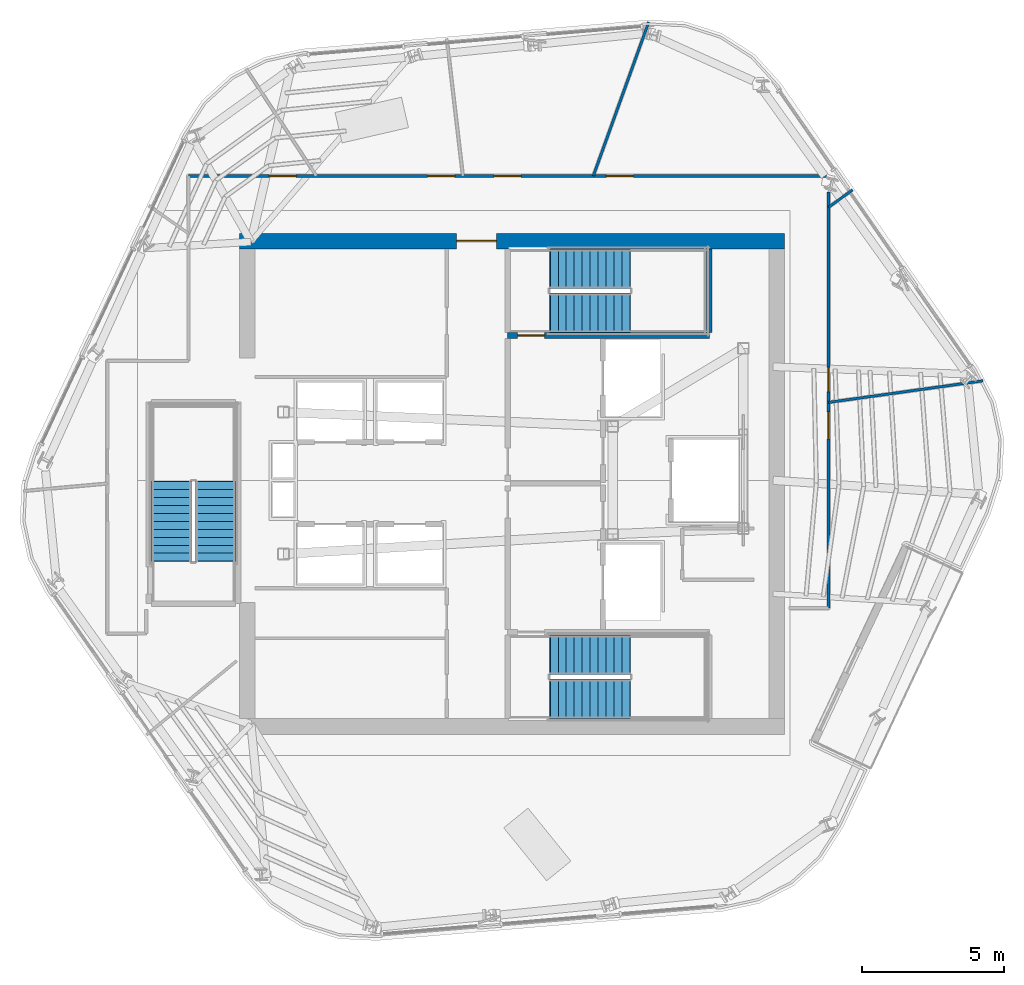
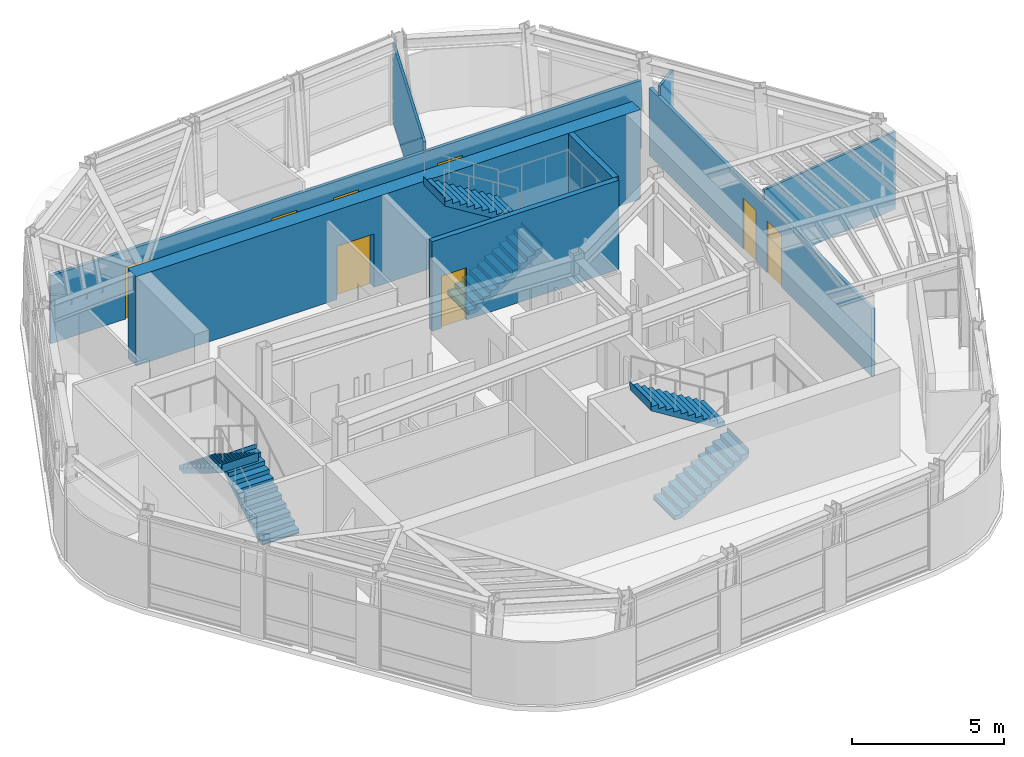
# One storey, part 7 of 14: 8 doors, 8 walls, 6 stair flights, 8 openings, 3 elements without a shape of their own.
"""IFC4 building model written with IfcOpenShell, lengths in metres."""

from ifc_helpers import new_model, si_unit, direction, frame, frame_2d, origin, place, context, subcontext, project, spatial, polyline, rectangle, outline, extrude, material, layer, layer_set, type_object, element, fill, aggregate, save


model = new_model("IFC4")

# Units and contexts
model_context = context("Model", 3, precision=1e-05, world=origin(), true_north=direction((0.0, 1.0)))
body_context = subcontext(model_context, "Body", "Model", "MODEL_VIEW")
ifc_project = project(units=[si_unit("LENGTHUNIT", "METRE"), si_unit("AREAUNIT", "SQUARE_METRE"), si_unit("VOLUMEUNIT", "CUBIC_METRE"), si_unit("PLANEANGLEUNIT", "RADIAN"), si_unit("MASSUNIT", "GRAM", prefix="KILO")], contexts=[model_context])

# Site, building, storey
site_placement = place(None, origin())
site = spatial("IfcSite", under=ifc_project, at=site_placement, CompositionType="ELEMENT")
building_placement = place(site_placement, origin())
building = spatial("IfcBuilding", under=site, at=building_placement, Name="Valkerne Bourse Tower", CompositionType="ELEMENT")
storey_placement = place(building_placement, frame((0.0, 0.0, 304.0)))
storey = spatial("IfcBuildingStorey", under=building, at=storey_placement, Name="L77", CompositionType="ELEMENT", Elevation=304.0)

# Wall, opening, door
ifc_material_1 = material(Name="Concrete C55/67", Category="concrete")
ifc_layer_1 = layer(ifc_material_1, 0.550048828125)
ifc_layer_set_1 = layer_set([ifc_layer_1], Name="Concrete C55/67")
wall_type_1 = type_object("IfcWallType", Name="W-CORE-550", PredefinedType="SHEAR", material=ifc_layer_set_1)
wall_1_placement = place(storey_placement, frame((37.199951171875, 35.425048828125, 0.0), z_axis=(0.0, 0.0, 1.0), x_axis=(1.0, 0.0, 0.0)))
wall_1 = element("IfcWall", 1, at=wall_1_placement, inside=storey, type_object=wall_type_1, Name="L77 Core Shear Wall NORTH", PredefinedType="SHEAR", context=body_context, shape_type="SweptSolid", body=[
    extrude(rectangle(XDim=19.199951171875, YDim=0.550048828125, at=frame_2d((9.60009765625, 0.0))), origin(), (0.0, 0.0, 1.0), 3.60009765625),
])
opening_1_placement = place(wall_1_placement, frame((7.64990234375, 0.0, 0.0)))
opening_1 = element("IfcOpeningElement", 2, at=opening_1_placement, cuts=wall_1, Name="Opening D-PL-1400", PredefinedType="OPENING", context=body_context, shape_type="SweptSolid", body=[
    extrude(rectangle(XDim=1.39990234375, YDim=2.14990234375, at=frame_2d((0.699951171875, 1.074951171875))), frame((0.0, 0.284912109375, 0.0), z_axis=(0.0, -1.0, 0.0), x_axis=(1.0, 0.0, 0.0)), (0.0, 0.0, 1.0), 0.570068359375),
])
ifc_material_2 = material(Name="Galvanised Painted Steel", Category="steel")
door_type_1 = type_object("IfcDoorType", Name="DR-PLT-1400", OperationType="DOUBLE_DOOR_SINGLE_SWING", PredefinedType="DOOR", material=ifc_material_2)
door_1_placement = place(opening_1_placement, origin())
door_1 = element("IfcDoor", 3, at=door_1_placement, inside=storey, type_object=door_type_1, Name="L77 North Passenger Lift Hall Fire Door", OperationType="DOUBLE_DOOR_SINGLE_SWING", OverallHeight=2.14990234375, OverallWidth=1.39990234375, PredefinedType="DOOR", context=body_context, shape_type="SweptSolid", body=[
    extrude(rectangle(XDim=1.39990234375, YDim=2.14990234375, at=frame_2d((0.699951171875, 1.074951171875))), frame((0.0, 0.02490234375, 0.0), z_axis=(0.0, -1.0, 0.0), x_axis=(1.0, 0.0, 0.0)), (0.0, 0.0, 1.0), 0.050048828125),
])
fill(opening_1, door_1)

# Wall, openings, doors
ifc_material_3 = material(Name="Gypsum Board Steel-Stud Partition", Category="steel")
ifc_layer_2 = layer(ifc_material_3, 0.117919921875)
ifc_layer_set_2 = layer_set([ifc_layer_2], Name="Gypsum Board Steel-Stud Partition")
wall_type_2 = type_object("IfcWallType", Name="W-CORR-140", PredefinedType="PARTITIONING", material=ifc_layer_set_2)
wall_2_placement = place(storey_placement, frame((35.39990234375, 37.719970703125, 0.0), z_axis=(0.0, 0.0, 1.0), x_axis=(1.0, 0.0, 0.0)))
wall_2 = element("IfcWall", 4, at=wall_2_placement, inside=storey, type_object=wall_type_2, Name="L77 Corridor Enclosure Wall", PredefinedType="PARTITIONING", context=body_context, shape_type="SweptSolid", body=[
    extrude(rectangle(XDim=22.48583984375, YDim=0.117919921875, at=frame_2d((11.242919921875, 0.0))), origin(), (0.0, 0.0, 1.0), 2.7314453125),
])
opening_2_placement = place(wall_2_placement, frame((8.427978515625, 0.0, 0.0)))
opening_2 = element("IfcOpeningElement", 5, at=opening_2_placement, cuts=wall_2, Name="Opening D-OF-950", PredefinedType="OPENING", context=body_context, shape_type="SweptSolid", body=[
    extrude(rectangle(XDim=0.949951171875, YDim=2.10009765625, at=frame_2d((0.47509765625, 1.050048828125))), frame((0.0, 0.06884765625, 0.0), z_axis=(0.0, -1.0, 0.0), x_axis=(1.0, 0.0, 0.0)), (0.0, 0.0, 1.0), 0.137939453125),
])
opening_3_placement = place(wall_2_placement, frame((10.767822265625, 0.0, 0.0)))
opening_3 = element("IfcOpeningElement", 6, at=opening_3_placement, cuts=wall_2, Name="Opening D-OF-950", PredefinedType="OPENING", context=body_context, shape_type="SweptSolid", body=[
    extrude(rectangle(XDim=0.949951171875, YDim=2.10009765625, at=frame_2d((0.47509765625, 1.050048828125))), frame((0.0, 0.06884765625, 0.0), z_axis=(0.0, -1.0, 0.0), x_axis=(1.0, 0.0, 0.0)), (0.0, 0.0, 1.0), 0.137939453125),
])
opening_4_placement = place(wall_2_placement, frame((14.727783203125, 0.0, 0.0)))
opening_4 = element("IfcOpeningElement", 7, at=opening_4_placement, cuts=wall_2, Name="Opening D-OF-950", PredefinedType="OPENING", context=body_context, shape_type="SweptSolid", body=[
    extrude(rectangle(XDim=0.949951171875, YDim=2.10009765625, at=frame_2d((0.47509765625, 1.050048828125))), frame((0.0, 0.06884765625, 0.0), z_axis=(0.0, -1.0, 0.0), x_axis=(1.0, 0.0, 0.0)), (0.0, 0.0, 1.0), 0.137939453125),
])
opening_5_placement = place(wall_2_placement, frame((2.847900390625, 0.0, 0.0)))
opening_5 = element("IfcOpeningElement", 8, at=opening_5_placement, cuts=wall_2, Name="Opening D-OF-950", PredefinedType="OPENING", context=body_context, shape_type="SweptSolid", body=[
    extrude(rectangle(XDim=0.949951171875, YDim=2.10009765625, at=frame_2d((0.47509765625, 1.050048828125))), frame((0.0, 0.06884765625, 0.0), z_axis=(0.0, -1.0, 0.0), x_axis=(1.0, 0.0, 0.0)), (0.0, 0.0, 1.0), 0.137939453125),
])
ifc_material_4 = material(Name="Architectural White Oak Timber", Category="wood")
door_type_2 = type_object("IfcDoorType", Name="DR-OFF-950", OperationType="NOTDEFINED", PredefinedType="DOOR", material=ifc_material_4)
door_2_placement = place(opening_2_placement, origin())
door_2 = element("IfcDoor", 9, at=door_2_placement, inside=storey, type_object=door_type_2, Name="L77 L77 Executive Economics Study Room 4 Door", OperationType="SINGLE_SWING_RIGHT", OverallHeight=2.10009765625, OverallWidth=0.949951171875, PredefinedType="DOOR", context=body_context, shape_type="SweptSolid", body=[
    extrude(rectangle(XDim=0.949951171875, YDim=2.10009765625, at=frame_2d((0.47509765625, 1.050048828125))), frame((0.0, 0.02490234375, 0.0), z_axis=(0.0, -1.0, 0.0), x_axis=(1.0, 0.0, 0.0)), (0.0, 0.0, 1.0), 0.050048828125),
])
fill(opening_2, door_2)
door_3_placement = place(opening_3_placement, origin())
door_3 = element("IfcDoor", 10, at=door_3_placement, inside=storey, type_object=door_type_2, Name="L77 L77 Hospitality Catering Kitchen 5 Door", OperationType="SINGLE_SWING_LEFT", OverallHeight=2.10009765625, OverallWidth=0.949951171875, PredefinedType="DOOR", context=body_context, shape_type="SweptSolid", body=[
    extrude(rectangle(XDim=0.949951171875, YDim=2.10009765625, at=frame_2d((0.47509765625, 1.050048828125))), frame((0.0, 0.02490234375, 0.0), z_axis=(0.0, -1.0, 0.0), x_axis=(1.0, 0.0, 0.0)), (0.0, 0.0, 1.0), 0.050048828125),
])
fill(opening_3, door_3)
door_4_placement = place(opening_4_placement, origin())
door_4 = element("IfcDoor", 11, at=door_4_placement, inside=storey, type_object=door_type_2, Name="L77 L77 Hospitality Catering Kitchen 6 Door", OperationType="SINGLE_SWING_LEFT", OverallHeight=2.10009765625, OverallWidth=0.949951171875, PredefinedType="DOOR", context=body_context, shape_type="SweptSolid", body=[
    extrude(rectangle(XDim=0.949951171875, YDim=2.10009765625, at=frame_2d((0.47509765625, 1.050048828125))), frame((0.0, 0.02490234375, 0.0), z_axis=(0.0, -1.0, 0.0), x_axis=(1.0, 0.0, 0.0)), (0.0, 0.0, 1.0), 0.050048828125),
])
fill(opening_4, door_4)
door_5_placement = place(opening_5_placement, origin())
door_5 = element("IfcDoor", 12, at=door_5_placement, inside=storey, type_object=door_type_2, Name="L77 L77 Exchange Security Control Room 7 Door", OperationType="SINGLE_SWING_LEFT", OverallHeight=2.10009765625, OverallWidth=0.949951171875, PredefinedType="DOOR", context=body_context, shape_type="SweptSolid", body=[
    extrude(rectangle(XDim=0.949951171875, YDim=2.10009765625, at=frame_2d((0.47509765625, 1.050048828125))), frame((0.0, 0.02490234375, 0.0), z_axis=(0.0, -1.0, 0.0), x_axis=(1.0, 0.0, 0.0)), (0.0, 0.0, 1.0), 0.050048828125),
])
fill(opening_5, door_5)

wall_3_placement = place(storey_placement, frame((57.949951171875, 37.1630859375, 0.0), z_axis=(0.0, 0.0, 1.0), x_axis=(0.0, -1.0, 0.0)))
wall_3 = element("IfcWall", 13, at=wall_3_placement, inside=storey, type_object=wall_type_2, Name="L77 Corridor Enclosure Wall", PredefinedType="PARTITIONING", context=body_context, shape_type="SweptSolid", body=[
    extrude(rectangle(XDim=14.6630859375, YDim=0.117919921875, at=frame_2d((7.33154296875, 0.0))), origin(), (0.0, 0.0, 1.0), 2.7314453125),
])
opening_6_placement = place(wall_3_placement, frame((6.181396484375, 0.0, 0.0)))
opening_6 = element("IfcOpeningElement", 14, at=opening_6_placement, cuts=wall_3, Name="Opening D-WC-900", PredefinedType="OPENING", context=body_context, shape_type="SweptSolid", body=[
    extrude(rectangle(XDim=0.860107421875, YDim=2.050048828125, at=frame_2d((0.43017578125, 1.02490234375))), frame((0.0, 0.06884765625, 0.0), z_axis=(0.0, -1.0, 0.0), x_axis=(1.0, 0.0, 0.0)), (0.0, 0.0, 1.0), 0.137939453125),
])
opening_7_placement = place(wall_3_placement, frame((7.756591796875, 0.0, 0.0)))
opening_7 = element("IfcOpeningElement", 15, at=opening_7_placement, cuts=wall_3, Name="Opening D-OF-950", PredefinedType="OPENING", context=body_context, shape_type="SweptSolid", body=[
    extrude(rectangle(XDim=0.949951171875, YDim=2.10009765625, at=frame_2d((0.47509765625, 1.050048828125))), frame((0.0, 0.06884765625, 0.0), z_axis=(0.0, -1.0, 0.0), x_axis=(1.0, 0.0, 0.0)), (0.0, 0.0, 1.0), 0.137939453125),
])
door_6_placement = place(opening_7_placement, origin())
door_6 = element("IfcDoor", 16, at=door_6_placement, inside=storey, type_object=door_type_2, Name="L77 L77 Exchange Security Control Room 8 Door", OperationType="SINGLE_SWING_LEFT", OverallHeight=2.10009765625, OverallWidth=0.949951171875, PredefinedType="DOOR", context=body_context, shape_type="SweptSolid", body=[
    extrude(rectangle(XDim=0.949951171875, YDim=2.10009765625, at=frame_2d((0.47509765625, 1.050048828125))), frame((0.0, 0.02490234375, 0.0), z_axis=(0.0, -1.0, 0.0), x_axis=(1.0, 0.0, 0.0)), (0.0, 0.0, 1.0), 0.050048828125),
])
fill(opening_7, door_6)
door_type_3 = type_object("IfcDoorType", Name="DR-WC-900", OperationType="NOTDEFINED", PredefinedType="DOOR", material=ifc_material_4)
door_7_placement = place(opening_6_placement, origin())
door_7 = element("IfcDoor", 17, at=door_7_placement, inside=storey, type_object=door_type_3, Name="L77 L77 Women Restroom & Shower WC 2 Door", OperationType="SINGLE_SWING_RIGHT", OverallHeight=2.050048828125, OverallWidth=0.860107421875, PredefinedType="DOOR", context=body_context, shape_type="SweptSolid", body=[
    extrude(rectangle(XDim=0.860107421875, YDim=2.050048828125, at=frame_2d((0.43017578125, 1.02490234375))), frame((0.0, 0.02490234375, 0.0), z_axis=(0.0, -1.0, 0.0), x_axis=(1.0, 0.0, 0.0)), (0.0, 0.0, 1.0), 0.050048828125),
])
fill(opening_6, door_7)

# Walls
ifc_layer_3 = layer(ifc_material_3, 0.092041015625)
ifc_layer_set_3 = layer_set([ifc_layer_3], Name="Gypsum Board Steel-Stud Partition")
wall_type_3 = type_object("IfcWallType", Name="W-PART-115", PredefinedType="PARTITIONING", material=ifc_layer_set_3)
wall_4_placement = place(storey_placement, frame((49.665283203125, 37.72509765625, 0.0), z_axis=(0.0, 0.0, 1.0), x_axis=(0.338749490322, 0.94087660339, 0.0)))
element("IfcWall", 18, at=wall_4_placement, inside=storey, type_object=wall_type_3, Name="L77 Suite Partition P01", PredefinedType="PARTITIONING", context=body_context, shape_type="SweptSolid", body=[
    extrude(rectangle(XDim=5.75927734375, YDim=0.092041015625, at=frame_2d((2.879638671875, 0.0))), origin(), (0.0, 0.0, 1.0), 3.114990234375),
])
wall_5_placement = place(storey_placement, frame((57.955078125, 29.743896484375, 0.0), z_axis=(0.0, 0.0, 1.0), x_axis=(0.990364807258, 0.138483026198, 0.0)))
element("IfcWall", 19, at=wall_5_placement, inside=storey, type_object=wall_type_3, Name="L77 Suite Partition P07", PredefinedType="PARTITIONING", context=body_context, shape_type="SweptSolid", body=[
    extrude(rectangle(XDim=5.49169921875, YDim=0.092041015625, at=frame_2d((2.745849609375, 0.0))), origin(), (0.0, 0.0, 1.0), 3.114990234375),
])
wall_6_placement = place(storey_placement, frame((57.955078125, 36.61962890625, 0.0), z_axis=(0.0, 0.0, 1.0), x_axis=(0.809596523757, 0.586986770481, 0.0)))
element("IfcWall", 20, at=wall_6_placement, inside=storey, type_object=wall_type_3, Name="L77 Suite Partition P08", PredefinedType="PARTITIONING", context=body_context, shape_type="SweptSolid", body=[
    extrude(rectangle(XDim=1.0419921875, YDim=0.092041015625, at=frame_2d((0.52099609375, 0.0))), origin(), (0.0, 0.0, 1.0), 3.114990234375),
])

# Wall, opening, door
ifc_material_5 = material(Name="Concrete C40/50", Category="concrete")
ifc_layer_4 = layer(ifc_material_5, 0.199951171875)
ifc_layer_set_4 = layer_set([ifc_layer_4], Name="Concrete C40/50")
wall_type_4 = type_object("IfcWallType", Name="W-SHF-200", PredefinedType="SHEAR", material=ifc_layer_set_4)
wall_7_placement = place(storey_placement, frame((46.64990234375, 32.10009765625, 0.0), z_axis=(0.0, 0.0, 1.0), x_axis=(1.0, 0.0, 0.0)))
wall_7 = element("IfcWall", 21, at=wall_7_placement, inside=storey, type_object=wall_type_4, Name="L77 Exit Stair ST-2 Structural Shaft Wall South", PredefinedType="SHEAR", context=body_context, shape_type="SweptSolid", body=[
    extrude(rectangle(XDim=7.10009765625, YDim=0.199951171875, at=frame_2d((3.550048828125, 0.0))), origin(), (0.0, 0.0, 1.0), 3.60009765625),
])
opening_8_placement = place(wall_7_placement, frame((0.35009765625, 0.0, 0.0)))
opening_8 = element("IfcOpeningElement", 22, at=opening_8_placement, cuts=wall_7, Name="Opening D-ST-950", PredefinedType="OPENING", context=body_context, shape_type="SweptSolid", body=[
    extrude(rectangle(XDim=0.949951171875, YDim=2.10009765625, at=frame_2d((0.47509765625, 1.050048828125))), frame((0.0, 0.10986328125, 0.0), z_axis=(0.0, -1.0, 0.0), x_axis=(1.0, 0.0, 0.0)), (0.0, 0.0, 1.0), 0.219970703125),
])
door_type_4 = type_object("IfcDoorType", Name="DR-STAIR-950", OperationType="NOTDEFINED", PredefinedType="DOOR", material=ifc_material_2)
door_8_placement = place(opening_8_placement, origin())
door_8 = element("IfcDoor", 23, at=door_8_placement, inside=storey, type_object=door_type_4, Name="L77 Exit Stair ST-2 Door", OperationType="SINGLE_SWING_LEFT", OverallHeight=2.10009765625, OverallWidth=0.949951171875, PredefinedType="DOOR", context=body_context, shape_type="SweptSolid", body=[
    extrude(rectangle(XDim=0.949951171875, YDim=2.10009765625, at=frame_2d((0.47509765625, 1.050048828125))), frame((0.0, 0.02490234375, 0.0), z_axis=(0.0, -1.0, 0.0), x_axis=(1.0, 0.0, 0.0)), (0.0, 0.0, 1.0), 0.050048828125),
])
fill(opening_8, door_8)

# Wall
wall_8_placement = place(storey_placement, frame((53.75, 32.199951171875, 0.0), z_axis=(0.0, 0.0, 1.0), x_axis=(0.0, 1.0, 0.0)))
element("IfcWall", 24, at=wall_8_placement, inside=storey, type_object=wall_type_4, Name="L77 Exit Stair ST-2 Structural Shaft Wall East", PredefinedType="SHEAR", context=body_context, shape_type="SweptSolid", body=[
    extrude(rectangle(XDim=2.949951171875, YDim=0.199951171875, at=frame_2d((1.47509765625, 0.0))), origin(), (0.0, 0.0, 1.0), 3.60009765625),
])

# Stair, stair flights
stair_type = type_object("IfcStairType", Name="ST-CORE-1400", PredefinedType="HALF_TURN_STAIR", material=ifc_material_5)
stair_1_placement = place(storey_placement, origin())
stair_1 = element("IfcStair", 25, at=stair_1_placement, inside=storey, type_object=stair_type, Name="L77 ST-1", PredefinedType="HALF_TURN_STAIR")
stair_flight_type = type_object("IfcStairFlightType", Name="STF-CORE-1400", PredefinedType="STRAIGHT", material=ifc_material_5)
stair_flight_1_placement = place(storey_placement, frame((48.14990234375, 19.300048828125, 0.0), z_axis=(0.0, 0.0, 1.0), x_axis=(1.0, 0.0, 0.0)))
stair_flight_1 = element("IfcStairFlight", 26, at=stair_flight_1_placement, type_object=stair_flight_type, Name="ST-1 flight 1", NumberOfRisers=11, NumberOfTreads=10, PredefinedType="STRAIGHT", RiserHeight=0.172727273, TreadLength=0.28, context=body_context, shape_type="SweptSolid", body=[
    extrude(outline(polyline([(-0.02001953125, 0.0), (-0.02001953125, 0.044921875), (0.0, 0.044921875), (0.0, 0.172607421875), (0.280029296875, 0.172607421875), (0.280029296875, 0.345458984375), (0.56005859375, 0.345458984375), (0.56005859375, 0.51806640625), (0.840087890625, 0.51806640625), (0.840087890625, 0.69091796875), (1.1201171875, 0.69091796875), (1.1201171875, 0.863525390625), (1.39990234375, 0.863525390625), (1.39990234375, 1.036376953125), (1.679931640625, 1.036376953125), (1.679931640625, 1.208984375), (1.9599609375, 1.208984375), (1.9599609375, 1.3818359375), (2.239990234375, 1.3818359375), (2.239990234375, 1.554443359375), (2.52001953125, 1.554443359375), (2.52001953125, 1.727294921875), (2.800048828125, 1.727294921875), (2.800048828125, 1.89990234375), (2.820068359375, 1.89990234375), (2.820068359375, 1.780029296875), (2.800048828125, 1.551025390625), (0.285400390625, 0.0), (-0.02001953125, 0.0)])), frame((0.0, 0.699951171875, 0.0), z_axis=(0.0, -1.0, 0.0), x_axis=(1.0, 0.0, 0.0)), (0.0, 0.0, 1.0), 1.39990234375),
])
stair_flight_2_placement = place(storey_placement, frame((50.949951171875, 20.85009765625, 1.89990234375), z_axis=(0.0, 0.0, 1.0), x_axis=(-1.0, 0.0, 0.0)))
stair_flight_2 = element("IfcStairFlight", 27, at=stair_flight_2_placement, type_object=stair_flight_type, Name="ST-1 flight 2", NumberOfRisers=11, NumberOfTreads=10, PredefinedType="STRAIGHT", RiserHeight=0.172727273, TreadLength=0.28, context=body_context, shape_type="SweptSolid", body=[
    extrude(outline(polyline([(-0.02001953125, 0.0), (-0.02001953125, 0.044921875), (0.0, 0.044921875), (0.0, 0.172607421875), (0.280029296875, 0.172607421875), (0.280029296875, 0.345458984375), (0.56005859375, 0.345458984375), (0.56005859375, 0.51806640625), (0.840087890625, 0.51806640625), (0.840087890625, 0.69091796875), (1.1201171875, 0.69091796875), (1.1201171875, 0.863525390625), (1.39990234375, 0.863525390625), (1.39990234375, 1.036376953125), (1.679931640625, 1.036376953125), (1.679931640625, 1.208984375), (1.9599609375, 1.208984375), (1.9599609375, 1.3818359375), (2.239990234375, 1.3818359375), (2.239990234375, 1.554443359375), (2.52001953125, 1.554443359375), (2.52001953125, 1.727294921875), (2.800048828125, 1.727294921875), (2.800048828125, 1.89990234375), (2.820068359375, 1.89990234375), (2.820068359375, 1.780029296875), (2.800048828125, 1.551025390625), (0.285400390625, 0.0), (-0.02001953125, 0.0)])), frame((0.0, 0.699951171875, 0.0), z_axis=(0.0, -1.0, 0.0), x_axis=(1.0, 0.0, 0.0)), (0.0, 0.0, 1.0), 1.39990234375),
])
aggregate(stair_1, [stair_flight_1, stair_flight_2])

stair_2_placement = place(storey_placement, origin())
stair_2 = element("IfcStair", 28, at=stair_2_placement, inside=storey, type_object=stair_type, Name="L77 ST-2", PredefinedType="HALF_TURN_STAIR")
stair_flight_3_placement = place(storey_placement, frame((48.14990234375, 32.89990234375, 0.0), z_axis=(0.0, 0.0, 1.0), x_axis=(1.0, 0.0, 0.0)))
stair_flight_3 = element("IfcStairFlight", 29, at=stair_flight_3_placement, type_object=stair_flight_type, Name="ST-2 flight 1", NumberOfRisers=11, NumberOfTreads=10, PredefinedType="STRAIGHT", RiserHeight=0.172727273, TreadLength=0.28, context=body_context, shape_type="SweptSolid", body=[
    extrude(outline(polyline([(-0.02001953125, 0.0), (-0.02001953125, 0.044921875), (0.0, 0.044921875), (0.0, 0.172607421875), (0.280029296875, 0.172607421875), (0.280029296875, 0.345458984375), (0.56005859375, 0.345458984375), (0.56005859375, 0.51806640625), (0.840087890625, 0.51806640625), (0.840087890625, 0.69091796875), (1.1201171875, 0.69091796875), (1.1201171875, 0.863525390625), (1.39990234375, 0.863525390625), (1.39990234375, 1.036376953125), (1.679931640625, 1.036376953125), (1.679931640625, 1.208984375), (1.9599609375, 1.208984375), (1.9599609375, 1.3818359375), (2.239990234375, 1.3818359375), (2.239990234375, 1.554443359375), (2.52001953125, 1.554443359375), (2.52001953125, 1.727294921875), (2.800048828125, 1.727294921875), (2.800048828125, 1.89990234375), (2.820068359375, 1.89990234375), (2.820068359375, 1.780029296875), (2.800048828125, 1.551025390625), (0.285400390625, 0.0), (-0.02001953125, 0.0)])), frame((0.0, 0.699951171875, 0.0), z_axis=(0.0, -1.0, 0.0), x_axis=(1.0, 0.0, 0.0)), (0.0, 0.0, 1.0), 1.39990234375),
])
stair_flight_4_placement = place(storey_placement, frame((50.949951171875, 34.449951171875, 1.89990234375), z_axis=(0.0, 0.0, 1.0), x_axis=(-1.0, 0.0, 0.0)))
stair_flight_4 = element("IfcStairFlight", 30, at=stair_flight_4_placement, type_object=stair_flight_type, Name="ST-2 flight 2", NumberOfRisers=11, NumberOfTreads=10, PredefinedType="STRAIGHT", RiserHeight=0.172727273, TreadLength=0.28, context=body_context, shape_type="SweptSolid", body=[
    extrude(outline(polyline([(-0.02001953125, 0.0), (-0.02001953125, 0.044921875), (0.0, 0.044921875), (0.0, 0.172607421875), (0.280029296875, 0.172607421875), (0.280029296875, 0.345458984375), (0.56005859375, 0.345458984375), (0.56005859375, 0.51806640625), (0.840087890625, 0.51806640625), (0.840087890625, 0.69091796875), (1.1201171875, 0.69091796875), (1.1201171875, 0.863525390625), (1.39990234375, 0.863525390625), (1.39990234375, 1.036376953125), (1.679931640625, 1.036376953125), (1.679931640625, 1.208984375), (1.9599609375, 1.208984375), (1.9599609375, 1.3818359375), (2.239990234375, 1.3818359375), (2.239990234375, 1.554443359375), (2.52001953125, 1.554443359375), (2.52001953125, 1.727294921875), (2.800048828125, 1.727294921875), (2.800048828125, 1.89990234375), (2.820068359375, 1.89990234375), (2.820068359375, 1.780029296875), (2.800048828125, 1.551025390625), (0.285400390625, 0.0), (-0.02001953125, 0.0)])), frame((0.0, 0.699951171875, 0.0), z_axis=(0.0, -1.0, 0.0), x_axis=(1.0, 0.0, 0.0)), (0.0, 0.0, 1.0), 1.39990234375),
])
aggregate(stair_2, [stair_flight_3, stair_flight_4])

stair_3_placement = place(storey_placement, origin())
stair_3 = element("IfcStair", 31, at=stair_3_placement, inside=storey, type_object=stair_type, Name="L77 ST-3", PredefinedType="HALF_TURN_STAIR")
stair_flight_5_placement = place(storey_placement, frame((36.35009765625, 24.14990234375, 0.0), z_axis=(0.0, 0.0, 1.0), x_axis=(0.0, 1.0, 0.0)))
stair_flight_5 = element("IfcStairFlight", 32, at=stair_flight_5_placement, type_object=stair_flight_type, Name="ST-3 flight 1", NumberOfRisers=11, NumberOfTreads=10, PredefinedType="STRAIGHT", RiserHeight=0.172727273, TreadLength=0.28, context=body_context, shape_type="SweptSolid", body=[
    extrude(outline(polyline([(-0.02001953125, 0.0), (-0.02001953125, 0.044921875), (0.0, 0.044921875), (0.0, 0.172607421875), (0.280029296875, 0.172607421875), (0.280029296875, 0.345458984375), (0.56005859375, 0.345458984375), (0.56005859375, 0.51806640625), (0.840087890625, 0.51806640625), (0.840087890625, 0.69091796875), (1.1201171875, 0.69091796875), (1.1201171875, 0.863525390625), (1.39990234375, 0.863525390625), (1.39990234375, 1.036376953125), (1.679931640625, 1.036376953125), (1.679931640625, 1.208984375), (1.9599609375, 1.208984375), (1.9599609375, 1.3818359375), (2.239990234375, 1.3818359375), (2.239990234375, 1.554443359375), (2.52001953125, 1.554443359375), (2.52001953125, 1.727294921875), (2.800048828125, 1.727294921875), (2.800048828125, 1.89990234375), (2.820068359375, 1.89990234375), (2.820068359375, 1.780029296875), (2.800048828125, 1.551025390625), (0.285400390625, 0.0), (-0.02001953125, 0.0)])), frame((0.0, 0.699951171875, 0.0), z_axis=(0.0, -1.0, 0.0), x_axis=(1.0, 0.0, 0.0)), (0.0, 0.0, 1.0), 1.39990234375),
])
stair_flight_6_placement = place(storey_placement, frame((34.800048828125, 26.949951171875, 1.89990234375), z_axis=(0.0, 0.0, 1.0), x_axis=(0.0, -1.0, 0.0)))
stair_flight_6 = element("IfcStairFlight", 33, at=stair_flight_6_placement, type_object=stair_flight_type, Name="ST-3 flight 2", NumberOfRisers=11, NumberOfTreads=10, PredefinedType="STRAIGHT", RiserHeight=0.172727273, TreadLength=0.28, context=body_context, shape_type="SweptSolid", body=[
    extrude(outline(polyline([(-0.02001953125, 0.0), (-0.02001953125, 0.044921875), (0.0, 0.044921875), (0.0, 0.172607421875), (0.280029296875, 0.172607421875), (0.280029296875, 0.345458984375), (0.56005859375, 0.345458984375), (0.56005859375, 0.51806640625), (0.840087890625, 0.51806640625), (0.840087890625, 0.69091796875), (1.1201171875, 0.69091796875), (1.1201171875, 0.863525390625), (1.39990234375, 0.863525390625), (1.39990234375, 1.036376953125), (1.679931640625, 1.036376953125), (1.679931640625, 1.208984375), (1.9599609375, 1.208984375), (1.9599609375, 1.3818359375), (2.239990234375, 1.3818359375), (2.239990234375, 1.554443359375), (2.52001953125, 1.554443359375), (2.52001953125, 1.727294921875), (2.800048828125, 1.727294921875), (2.800048828125, 1.89990234375), (2.820068359375, 1.89990234375), (2.820068359375, 1.780029296875), (2.800048828125, 1.551025390625), (0.285400390625, 0.0), (-0.02001953125, 0.0)])), frame((0.0, 0.699951171875, 0.0), z_axis=(0.0, -1.0, 0.0), x_axis=(1.0, 0.0, 0.0)), (0.0, 0.0, 1.0), 1.39990234375),
])
aggregate(stair_3, [stair_flight_5, stair_flight_6])

save(model, "model.ifc")
